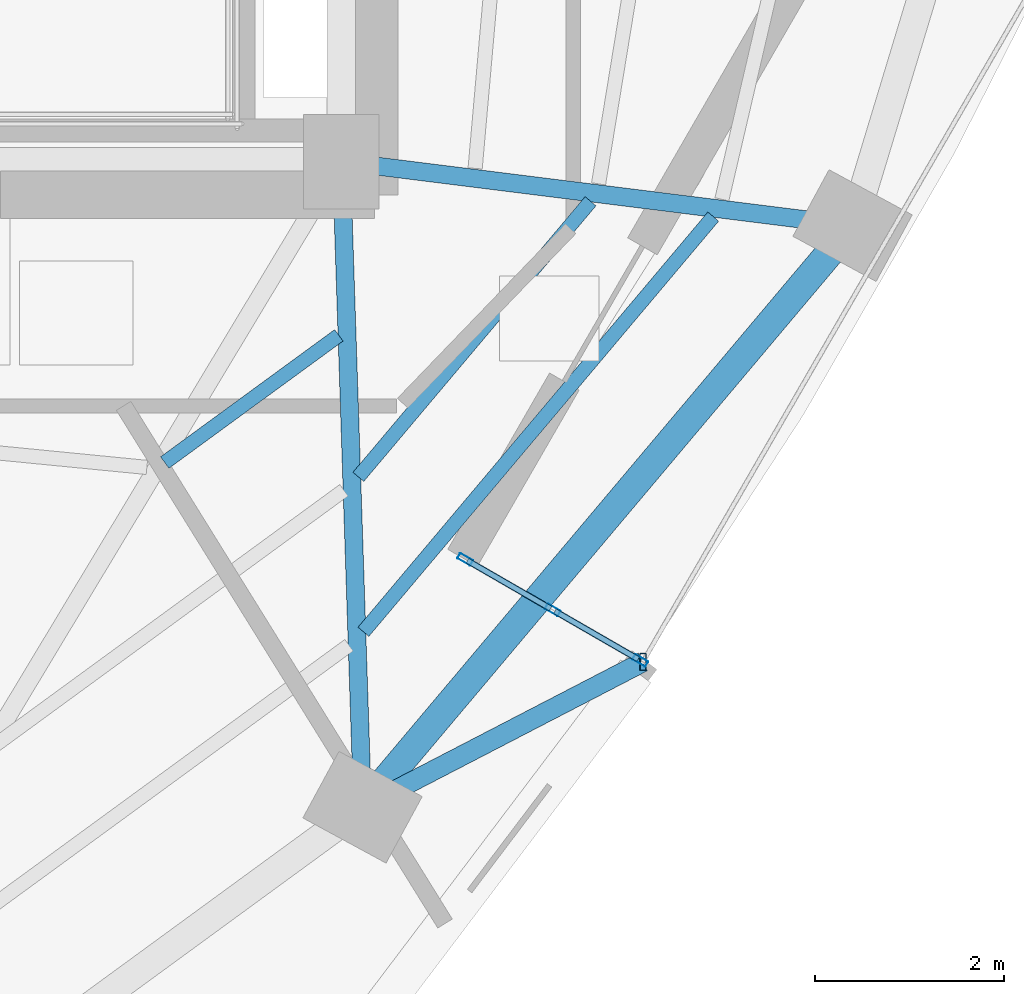
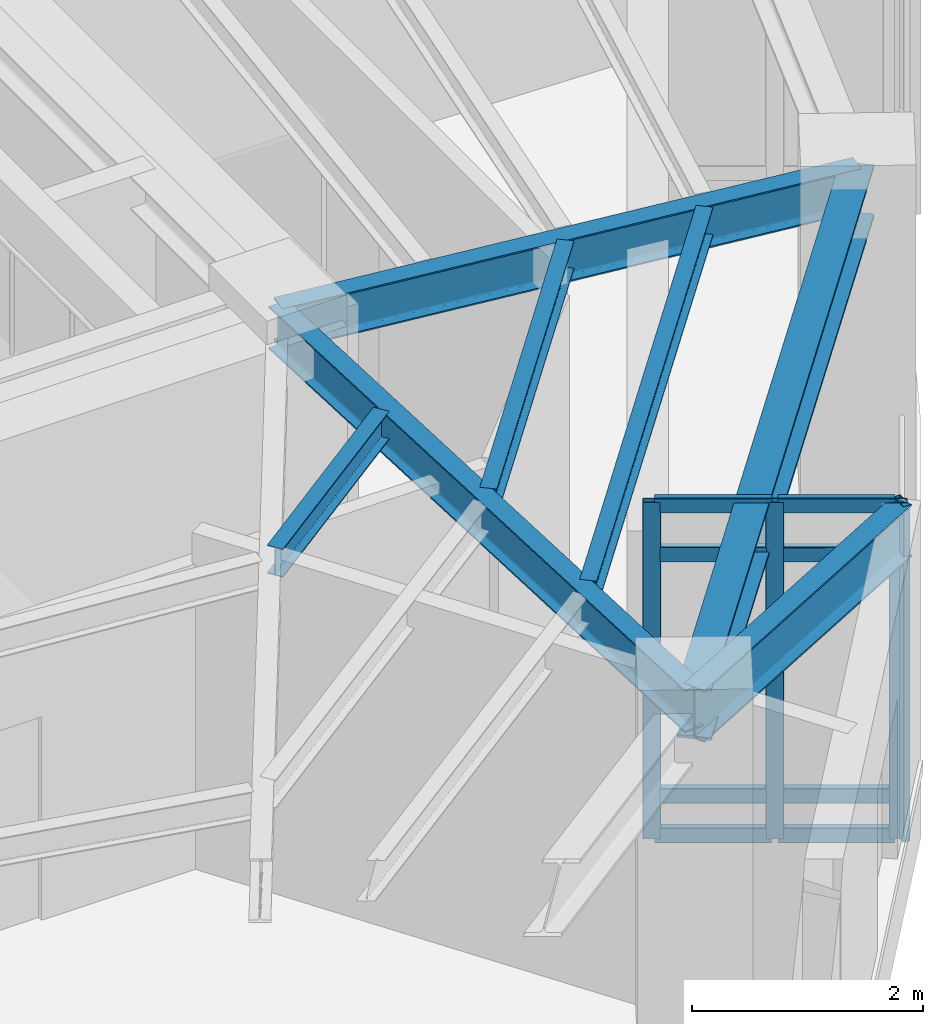
# One storey, part 2 of 12: 12 members, 7 beams, 1 element without a shape of its own.
"""IFC4 building model written with IfcOpenShell, lengths in metres."""

from ifc_helpers import new_model, si_unit, direction, frame, origin, origin_2d, place, context, subcontext, project, spatial, hollow_rectangle, i_section, extrude, material, layer, layer_set, material_profile, profile_set, type_object, element, aggregate, save


model = new_model("IFC4")

# Units and contexts
model_context = context("Model", 3, precision=1e-05, world=origin(), true_north=direction((0.0, 1.0)))
body_context = subcontext(model_context, "Body", "Model", "MODEL_VIEW")
ifc_project = project(units=[si_unit("LENGTHUNIT", "METRE"), si_unit("AREAUNIT", "SQUARE_METRE"), si_unit("VOLUMEUNIT", "CUBIC_METRE"), si_unit("PLANEANGLEUNIT", "RADIAN"), si_unit("MASSUNIT", "GRAM", prefix="KILO")], contexts=[model_context])

# Site, building, storey
site_placement = place(None, origin())
site = spatial("IfcSite", under=ifc_project, at=site_placement, CompositionType="ELEMENT")
building_placement = place(site_placement, origin())
building = spatial("IfcBuilding", under=site, at=building_placement, Name="Ndelora Gate Hotel", CompositionType="ELEMENT")
storey_placement = place(building_placement, frame((0.0, 0.0, 213.14990234375)))
storey = spatial("IfcBuildingStorey", under=building, at=storey_placement, Name="L53", CompositionType="ELEMENT", Elevation=213.14990234375)

# Beams
ifc_material_1 = material(Name="Steel S355", Category="steel")
ifc_material_profile_1 = material_profile(ifc_material_1, i_section(OverallWidth=0.14990234375, OverallDepth=0.300048828125, WebThickness=0.007080078125, FlangeThickness=0.0107421875, FilletRadius=0.014892578125, at=origin_2d()), Name="IPE 300")
ifc_profile_set_1 = profile_set([ifc_material_profile_1], Name="Steel S355")
beam_type_1 = type_object("IfcBeamType", Name="BM-JST-300", PredefinedType="JOIST", material=ifc_profile_set_1)
beam_1_placement = place(storey_placement, frame((6.134521484375, -9.77880859375, 3.400146484375), z_axis=(0.80739897839, 0.590005838696, 0.0), x_axis=(-0.590005838696, 0.80739897839, 0.0)))
element("IfcBeam", 1, at=beam_1_placement, inside=storey, type_object=beam_type_1, Name="L53 Secondary Composite Floor Joist IN-5", PredefinedType="JOIST", context=body_context, shape_type="SweptSolid", body=[
    extrude(i_section(OverallWidth=0.14990234375, OverallDepth=0.300048828125, WebThickness=0.007080078125, FlangeThickness=0.0107421875, FilletRadius=0.014892578125, at=origin_2d()), origin(), (0.0, 0.0, 1.0), 2.277587890625),
])
beam_2_placement = place(storey_placement, frame((8.1796875, -9.9296875, 3.400146484375), z_axis=(0.644319387893, 0.764756514444, 0.0), x_axis=(-0.764756514444, 0.644319387893, 0.0)))
element("IfcBeam", 2, at=beam_2_placement, inside=storey, type_object=beam_type_1, Name="L53 Secondary Composite Floor Joist MID-6", PredefinedType="JOIST", context=body_context, shape_type="SweptSolid", body=[
    extrude(i_section(OverallWidth=0.14990234375, OverallDepth=0.300048828125, WebThickness=0.007080078125, FlangeThickness=0.0107421875, FilletRadius=0.014892578125, at=origin_2d()), origin(), (0.0, 0.0, 1.0), 3.806884765625),
])
beam_3_placement = place(storey_placement, frame((8.2333984375, -11.56640625, 3.400146484375), z_axis=(0.644324492463, 0.764752213735, 0.0), x_axis=(-0.764752213735, 0.644324492463, 0.0)))
element("IfcBeam", 3, at=beam_3_placement, inside=storey, type_object=beam_type_1, Name="L53 Secondary Composite Floor Joist OUT-6", PredefinedType="JOIST", context=body_context, shape_type="SweptSolid", body=[
    extrude(i_section(OverallWidth=0.14990234375, OverallDepth=0.300048828125, WebThickness=0.007080078125, FlangeThickness=0.0107421875, FilletRadius=0.014892578125, at=origin_2d()), origin(), (0.0, 0.0, 1.0), 5.735107421875),
])
ifc_material_profile_2 = material_profile(ifc_material_1, i_section(OverallWidth=0.18994140625, OverallDepth=0.449951171875, WebThickness=0.009521484375, FlangeThickness=0.0146484375, FilletRadius=0.02099609375, at=origin_2d()), Name="IPE 450")
ifc_profile_set_2 = profile_set([ifc_material_profile_2], Name="Steel S355")
beam_type_2 = type_object("IfcBeamType", Name="BM-RAD-450", PredefinedType="BEAM", material=ifc_profile_set_2)
beam_4_placement = place(storey_placement, frame((8.0, -6.60009765625, 3.3251953125), z_axis=(0.032809705109, -0.999461616697, 0.0), x_axis=(0.999461616697, 0.032809705109, 0.0)))
element("IfcBeam", 4, at=beam_4_placement, inside=storey, type_object=beam_type_2, Name="L53 Radial Floor Girder 6", PredefinedType="BEAM", context=body_context, shape_type="SweptSolid", body=[
    extrude(i_section(OverallWidth=0.18994140625, OverallDepth=0.449951171875, WebThickness=0.009521484375, FlangeThickness=0.0146484375, FilletRadius=0.02099609375, at=origin_2d()), origin(), (0.0, 0.0, 1.0), 6.823486328125),
])
beam_5_placement = place(storey_placement, frame((8.0, -6.60009765625, 3.3251953125), z_axis=(0.992266830725, -0.124123070552, 0.0), x_axis=(0.124123070552, 0.992266830725, 0.0)))
element("IfcBeam", 5, at=beam_5_placement, inside=storey, type_object=beam_type_2, Name="L53 Radial Floor Girder 7", PredefinedType="BEAM", context=body_context, shape_type="SweptSolid", body=[
    extrude(i_section(OverallWidth=0.18994140625, OverallDepth=0.449951171875, WebThickness=0.009521484375, FlangeThickness=0.0146484375, FilletRadius=0.02099609375, at=origin_2d()), origin(), (0.0, 0.0, 1.0), 5.4423828125),
])
ifc_material_profile_3 = material_profile(ifc_material_1, i_section(OverallWidth=0.2099609375, OverallDepth=0.550048828125, WebThickness=0.010986328125, FlangeThickness=0.01708984375, FilletRadius=0.02392578125, at=origin_2d()), Name="IPE 550")
ifc_profile_set_3 = profile_set([ifc_material_profile_3], Name="Steel S355")
beam_type_3 = type_object("IfcBeamType", Name="BM-RAD-550", PredefinedType="BEAM", material=ifc_profile_set_3)
beam_6_placement = place(storey_placement, frame((8.223876953125, -13.419921875, 3.275146484375), z_axis=(0.88789405856, 0.4600479766, 0.0), x_axis=(-0.4600479766, 0.88789405856, 0.0)))
element("IfcBeam", 6, at=beam_6_placement, inside=storey, type_object=beam_type_3, Name="L53 Sky-Garden Loggia Column Bracket 1", PredefinedType="BEAM", context=body_context, shape_type="SweptSolid", body=[
    extrude(i_section(OverallWidth=0.2099609375, OverallDepth=0.550048828125, WebThickness=0.010986328125, FlangeThickness=0.01708984375, FilletRadius=0.02392578125, at=origin_2d()), origin(), (0.0, 0.0, 1.0), 3.3359375),
])
ifc_material_profile_4 = material_profile(ifc_material_1, i_section(OverallWidth=0.300048828125, OverallDepth=0.550048828125, WebThickness=0.014892578125, FlangeThickness=0.029052734375, FilletRadius=0.027099609375, at=origin_2d()), Name="HEB 550")
ifc_profile_set_4 = profile_set([ifc_material_profile_4], Name="Steel S355")
beam_type_4 = type_object("IfcBeamType", Name="BM-RING-550", PredefinedType="SPANDREL", material=ifc_profile_set_4)
beam_7_placement = place(storey_placement, frame((8.223876953125, -13.419921875, 3.275146484375), z_axis=(0.644308845181, 0.764765396721, 0.0), x_axis=(-0.764765396721, 0.644308845181, 0.0)))
element("IfcBeam", 7, at=beam_7_placement, inside=storey, type_object=beam_type_4, Name="L53 Perimeter Spandrel Girder 6", PredefinedType="SPANDREL", context=body_context, shape_type="SweptSolid", body=[
    extrude(i_section(OverallWidth=0.300048828125, OverallDepth=0.550048828125, WebThickness=0.014892578125, FlangeThickness=0.029052734375, FilletRadius=0.027099609375, at=origin_2d()), origin(), (0.0, 0.0, 1.0), 8.0341796875),
])

# Curtain wall, members
ifc_material_2 = material(Name="Bronze Anodised Unitised Aluminium and Low-E Glass", Category="aluminium")
ifc_layer = layer(ifc_material_2, 0.199951171875)
ifc_layer_set = layer_set([ifc_layer], Name="Bronze Anodised Unitised Aluminium and Low-E Glass")
curtain_wall_type = type_object("IfcCurtainWallType", Name="CW-SYS-3", PredefinedType="NOTDEFINED", material=ifc_layer_set)
curtain_wall_placement = place(storey_placement, origin())
curtain_wall = element("IfcCurtainWall", 8, at=curtain_wall_placement, inside=storey, type_object=curtain_wall_type, Name="L53 Sky-Garden Loggia Side Curtain Wall CW3-1", PredefinedType="NOTDEFINED")
ifc_material_3 = material(Name="Bronze Anodised Aluminium 6063-T6", Category="aluminium")
ifc_material_profile_5 = material_profile(ifc_material_3, hollow_rectangle(XDim=0.06494140625, YDim=0.159912109375, WallThickness=0.00390625, InnerFilletRadius=0.00390625, OuterFilletRadius=0.008056640625, at=origin_2d()), Name="ALU 160x65x4")
ifc_profile_set_5 = profile_set([ifc_material_profile_5], Name="Bronze Anodised Aluminium 6063-T6")
member_type_1 = type_object("IfcMemberType", Name="MB-CW-MUL150", PredefinedType="MULLION", material=ifc_profile_set_5)
member_1_placement = place(storey_placement, frame((9.308837890625, -10.801513671875, -0.00390625), z_axis=(0.0, 0.0, 1.0), x_axis=(0.499991317892, 0.866030416344, 0.0)))
member_1 = element("IfcMember", 9, at=member_1_placement, type_object=member_type_1, Name="CW3 mullion 1", PredefinedType="MULLION", context=body_context, shape_type="SweptSolid", body=[
    extrude(hollow_rectangle(XDim=0.06494140625, YDim=0.159912109375, WallThickness=0.00390625, InnerFilletRadius=0.00390625, OuterFilletRadius=0.008056640625, at=origin_2d()), origin(), (0.0, 0.0, 1.0), 3.55810546875),
])
member_2_placement = place(storey_placement, frame((10.233154296875, -11.335205078125, -0.00390625), z_axis=(0.0, 0.0, 1.0), x_axis=(0.499991317892, 0.866030416344, 0.0)))
member_2 = element("IfcMember", 10, at=member_2_placement, type_object=member_type_1, Name="CW3 mullion 2", PredefinedType="MULLION", context=body_context, shape_type="SweptSolid", body=[
    extrude(hollow_rectangle(XDim=0.06494140625, YDim=0.159912109375, WallThickness=0.00390625, InnerFilletRadius=0.00390625, OuterFilletRadius=0.008056640625, at=origin_2d()), origin(), (0.0, 0.0, 1.0), 3.55810546875),
])
member_3_placement = place(storey_placement, frame((11.15771484375, -11.869140625, -0.00390625), z_axis=(0.0, 0.0, 1.0), x_axis=(0.499991317892, 0.866030416344, 0.0)))
member_3 = element("IfcMember", 11, at=member_3_placement, type_object=member_type_1, Name="CW3 mullion 3", PredefinedType="MULLION", context=body_context, shape_type="SweptSolid", body=[
    extrude(hollow_rectangle(XDim=0.06494140625, YDim=0.159912109375, WallThickness=0.00390625, InnerFilletRadius=0.00390625, OuterFilletRadius=0.008056640625, at=origin_2d()), origin(), (0.0, 0.0, 1.0), 3.55810546875),
])
ifc_material_profile_6 = material_profile(ifc_material_3, hollow_rectangle(XDim=0.070068359375, YDim=0.179931640625, WallThickness=0.0048828125, InnerFilletRadius=0.0048828125, OuterFilletRadius=0.010009765625, at=origin_2d()), Name="ALU 180x70x5")
ifc_profile_set_6 = profile_set([ifc_material_profile_6], Name="Bronze Anodised Aluminium 6063-T6")
member_type_2 = type_object("IfcMemberType", Name="MB-CW-MUL180", PredefinedType="MULLION", material=ifc_profile_set_6)
member_4_placement = place(storey_placement, frame((11.185791015625, -11.88525390625, 0.0), z_axis=(0.0, 0.0, 1.0), x_axis=(1.0, 0.0, 0.0)))
member_4 = element("IfcMember", 12, at=member_4_placement, type_object=member_type_2, Name="L53 Sky-Garden Loggia Corner Mullion Post 1", PredefinedType="MULLION", context=body_context, shape_type="SweptSolid", body=[
    extrude(hollow_rectangle(XDim=0.070068359375, YDim=0.179931640625, WallThickness=0.0048828125, InnerFilletRadius=0.0048828125, OuterFilletRadius=0.010009765625, at=origin_2d()), origin(), (0.0, 0.0, 1.0), 3.550048828125),
])
ifc_material_profile_7 = material_profile(ifc_material_3, hollow_rectangle(XDim=0.06494140625, YDim=0.159912109375, WallThickness=0.00390625, InnerFilletRadius=0.00390625, OuterFilletRadius=0.008056640625, at=origin_2d()), Name="ALU 160x65x4")
ifc_profile_set_7 = profile_set([ifc_material_profile_7], Name="Bronze Anodised Aluminium 6063-T6")
member_type_3 = type_object("IfcMemberType", Name="MB-CW-TRN150", PredefinedType="USERDEFINED", material=ifc_profile_set_7)
member_5_placement = place(storey_placement, frame((9.331787109375, -10.814697265625, 0.03271484375), z_axis=(0.865953096906, -0.50012521828, 0.0), x_axis=(0.50012521828, 0.865953096906, 0.0)))
member_5 = element("IfcMember", 13, at=member_5_placement, type_object=member_type_3, Name="CW3 transom 1.1", ObjectType="TRANSOM", PredefinedType="USERDEFINED", context=body_context, shape_type="SweptSolid", body=[
    extrude(hollow_rectangle(XDim=0.06494140625, YDim=0.159912109375, WallThickness=0.00390625, InnerFilletRadius=0.00390625, OuterFilletRadius=0.008056640625, at=origin_2d()), origin(), (0.0, 0.0, 1.0), 1.014404296875),
])
member_6_placement = place(storey_placement, frame((9.331787109375, -10.814697265625, 0.4501953125), z_axis=(0.865953096906, -0.50012521828, 0.0), x_axis=(0.50012521828, 0.865953096906, 0.0)))
member_6 = element("IfcMember", 14, at=member_6_placement, type_object=member_type_3, Name="CW3 transom 1.2", ObjectType="TRANSOM", PredefinedType="USERDEFINED", context=body_context, shape_type="SweptSolid", body=[
    extrude(hollow_rectangle(XDim=0.06494140625, YDim=0.159912109375, WallThickness=0.00390625, InnerFilletRadius=0.00390625, OuterFilletRadius=0.008056640625, at=origin_2d()), origin(), (0.0, 0.0, 1.0), 1.014404296875),
])
member_7_placement = place(storey_placement, frame((9.331787109375, -10.814697265625, 3.0), z_axis=(0.865953096906, -0.50012521828, 0.0), x_axis=(0.50012521828, 0.865953096906, 0.0)))
member_7 = element("IfcMember", 15, at=member_7_placement, type_object=member_type_3, Name="CW3 transom 1.3", ObjectType="TRANSOM", PredefinedType="USERDEFINED", context=body_context, shape_type="SweptSolid", body=[
    extrude(hollow_rectangle(XDim=0.06494140625, YDim=0.159912109375, WallThickness=0.00390625, InnerFilletRadius=0.00390625, OuterFilletRadius=0.008056640625, at=origin_2d()), origin(), (0.0, 0.0, 1.0), 1.014404296875),
])
member_8_placement = place(storey_placement, frame((9.331787109375, -10.814697265625, 3.517578125), z_axis=(0.865953096906, -0.50012521828, 0.0), x_axis=(0.50012521828, 0.865953096906, 0.0)))
member_8 = element("IfcMember", 16, at=member_8_placement, type_object=member_type_3, Name="CW3 transom 1.4", ObjectType="TRANSOM", PredefinedType="USERDEFINED", context=body_context, shape_type="SweptSolid", body=[
    extrude(hollow_rectangle(XDim=0.06494140625, YDim=0.159912109375, WallThickness=0.00390625, InnerFilletRadius=0.00390625, OuterFilletRadius=0.008056640625, at=origin_2d()), origin(), (0.0, 0.0, 1.0), 1.014404296875),
])
member_9_placement = place(storey_placement, frame((10.256103515625, -11.3486328125, 0.03271484375), z_axis=(0.866117468088, -0.499840506035, 0.0), x_axis=(0.499840506035, 0.866117468088, 0.0)))
member_9 = element("IfcMember", 17, at=member_9_placement, type_object=member_type_3, Name="CW3 transom 2.1", ObjectType="TRANSOM", PredefinedType="USERDEFINED", context=body_context, shape_type="SweptSolid", body=[
    extrude(hollow_rectangle(XDim=0.06494140625, YDim=0.159912109375, WallThickness=0.00390625, InnerFilletRadius=0.00390625, OuterFilletRadius=0.008056640625, at=origin_2d()), origin(), (0.0, 0.0, 1.0), 1.014404296875),
])
member_10_placement = place(storey_placement, frame((10.256103515625, -11.3486328125, 0.4501953125), z_axis=(0.866117468088, -0.499840506035, 0.0), x_axis=(0.499840506035, 0.866117468088, 0.0)))
member_10 = element("IfcMember", 18, at=member_10_placement, type_object=member_type_3, Name="CW3 transom 2.2", ObjectType="TRANSOM", PredefinedType="USERDEFINED", context=body_context, shape_type="SweptSolid", body=[
    extrude(hollow_rectangle(XDim=0.06494140625, YDim=0.159912109375, WallThickness=0.00390625, InnerFilletRadius=0.00390625, OuterFilletRadius=0.008056640625, at=origin_2d()), origin(), (0.0, 0.0, 1.0), 1.014404296875),
])
member_11_placement = place(storey_placement, frame((10.256103515625, -11.3486328125, 3.0), z_axis=(0.866117468088, -0.499840506035, 0.0), x_axis=(0.499840506035, 0.866117468088, 0.0)))
member_11 = element("IfcMember", 19, at=member_11_placement, type_object=member_type_3, Name="CW3 transom 2.3", ObjectType="TRANSOM", PredefinedType="USERDEFINED", context=body_context, shape_type="SweptSolid", body=[
    extrude(hollow_rectangle(XDim=0.06494140625, YDim=0.159912109375, WallThickness=0.00390625, InnerFilletRadius=0.00390625, OuterFilletRadius=0.008056640625, at=origin_2d()), origin(), (0.0, 0.0, 1.0), 1.014404296875),
])
member_12_placement = place(storey_placement, frame((10.256103515625, -11.3486328125, 3.517578125), z_axis=(0.866117468088, -0.499840506035, 0.0), x_axis=(0.499840506035, 0.866117468088, 0.0)))
member_12 = element("IfcMember", 20, at=member_12_placement, type_object=member_type_3, Name="CW3 transom 2.4", ObjectType="TRANSOM", PredefinedType="USERDEFINED", context=body_context, shape_type="SweptSolid", body=[
    extrude(hollow_rectangle(XDim=0.06494140625, YDim=0.159912109375, WallThickness=0.00390625, InnerFilletRadius=0.00390625, OuterFilletRadius=0.008056640625, at=origin_2d()), origin(), (0.0, 0.0, 1.0), 1.014404296875),
])
aggregate(curtain_wall, [member_1, member_2, member_3, member_5, member_6, member_7, member_8, member_9, member_10, member_11, member_12, member_4])

save(model, "model.ifc")
